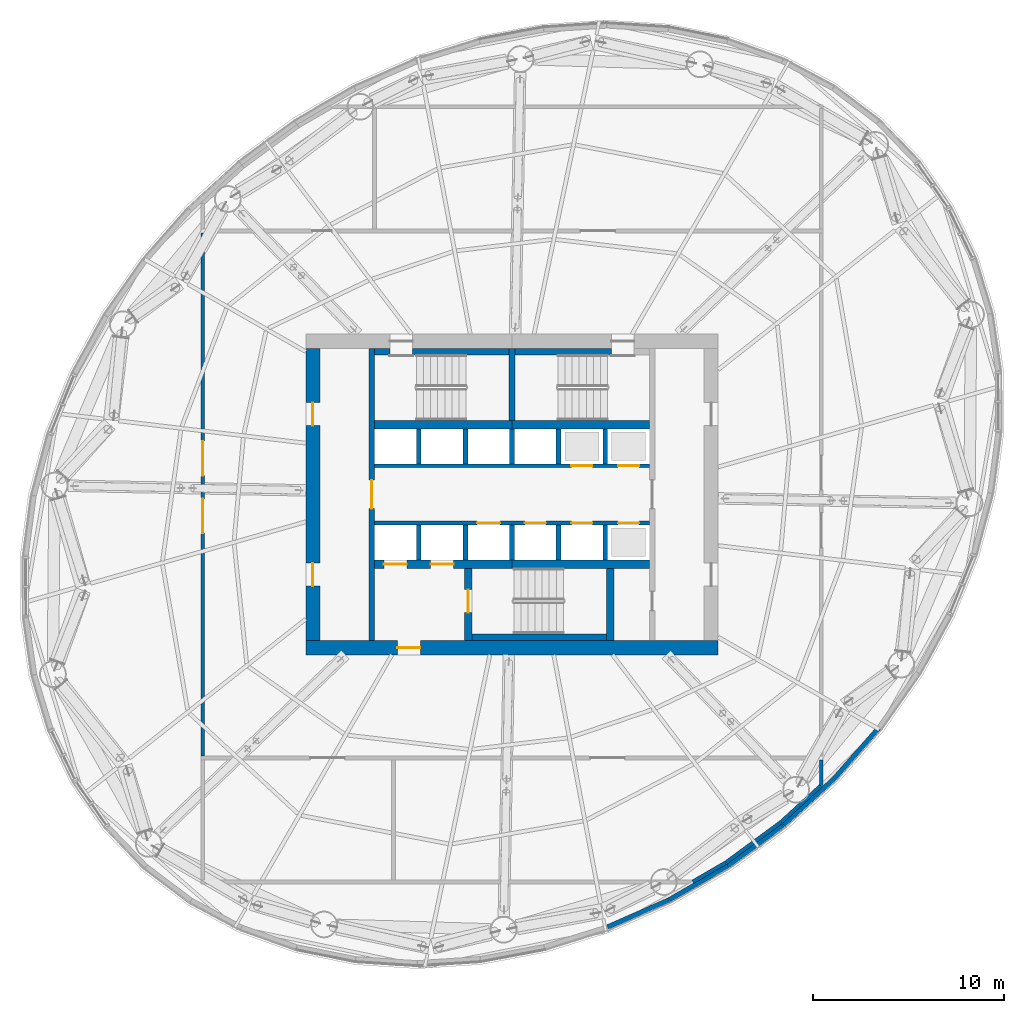
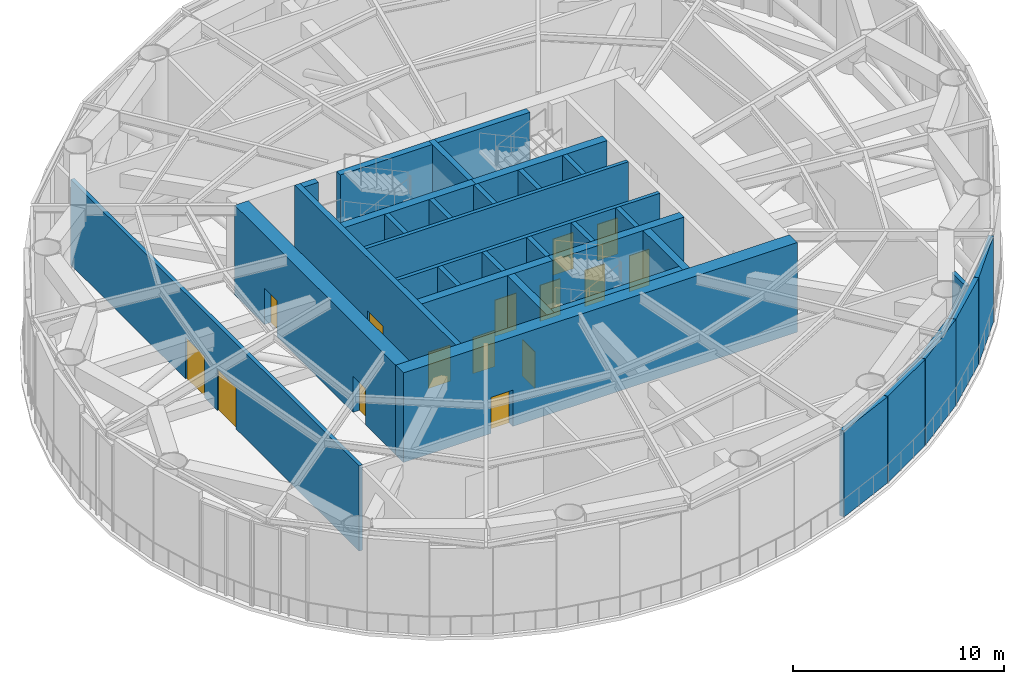
# One storey, part 8 of 19: 36 walls, 15 doors, 15 openings.
"""IFC4 building model written with IfcOpenShell, lengths in metres."""

from ifc_helpers import new_model, si_unit, direction, frame, frame_2d, origin, place, context, subcontext, project, spatial, rectangle, extrude, material, layer, layer_set, type_object, element, fill, save


model = new_model("IFC4")

# Units and contexts
model_context = context("Model", 3, precision=1e-05, world=origin(), true_north=direction((0.0, 1.0)))
body_context = subcontext(model_context, "Body", "Model", "MODEL_VIEW")
ifc_project = project(units=[si_unit("LENGTHUNIT", "METRE"), si_unit("AREAUNIT", "SQUARE_METRE"), si_unit("VOLUMEUNIT", "CUBIC_METRE"), si_unit("PLANEANGLEUNIT", "RADIAN"), si_unit("MASSUNIT", "GRAM", prefix="KILO")], contexts=[model_context])

# Site, building, storey
site_placement = place(None, origin())
site = spatial("IfcSite", under=ifc_project, at=site_placement, CompositionType="ELEMENT")
building_placement = place(site_placement, origin())
building = spatial("IfcBuilding", under=site, at=building_placement, Name="Vermilion Reach Broadcast Tower", CompositionType="ELEMENT")
storey_placement = place(building_placement, frame((0.0, 0.0, 190.199951171875)))
storey = spatial("IfcBuildingStorey", under=building, at=storey_placement, Name="L46", CompositionType="ELEMENT", Elevation=190.199951171875)

# Wall, opening, door
ifc_material_1 = material(Name="Concrete C60", Category="concrete")
ifc_layer_1 = layer(ifc_material_1, 0.300048828125)
ifc_layer_set_1 = layer_set([ifc_layer_1], Name="Core inner wall 300 mm Concrete C60")
wall_type_1 = type_object("IfcWallType", Name="Core inner wall 300 mm Concrete C60", PredefinedType="SHEAR", material=ifc_layer_set_1)
wall_1_placement = place(storey_placement, frame((-13.35009765625, 7.64990234375, 0.0), z_axis=(0.0, 0.0, 1.0), x_axis=(0.0, -1.0, 0.0)))
wall_1 = element("IfcWall", 1, at=wall_1_placement, inside=storey, type_object=wall_type_1, Name="L46 core wall ewW", PredefinedType="SHEAR", context=body_context, shape_type="SweptSolid", body=[
    extrude(rectangle(XDim=15.2998046875, YDim=0.300048828125, at=frame_2d((7.64990234375, 0.0))), origin(), (0.0, 0.0, 1.0), 5.199951171875),
])
opening_1_placement = place(wall_1_placement, frame((6.89990234375, 0.0, 0.0)))
opening_1 = element("IfcOpeningElement", 2, at=opening_1_placement, cuts=wall_1, Name="Opening D04", PredefinedType="OPENING", context=body_context, shape_type="SweptSolid", body=[
    extrude(rectangle(XDim=1.5, YDim=2.10009765625, at=frame_2d((0.75, 1.050048828125))), frame((0.0, 0.159912109375, 0.0), z_axis=(0.0, -1.0, 0.0), x_axis=(1.0, 0.0, 0.0)), (0.0, 0.0, 1.0), 0.320068359375),
])
ifc_material_2 = material(Name="Painted steel fire door", Category="steel")
door_type_1 = type_object("IfcDoorType", Name="Lift lobby door 1500 x 2100", OperationType="DOUBLE_DOOR_SINGLE_SWING", PredefinedType="NOTDEFINED", material=ifc_material_2)
door_1_placement = place(opening_1_placement, origin())
door_1 = element("IfcDoor", 3, at=door_1_placement, inside=storey, type_object=door_type_1, Name="L46 band door BW", OperationType="DOUBLE_DOOR_SINGLE_SWING", OverallHeight=2.10009765625, OverallWidth=1.5, PredefinedType="NOTDEFINED", context=body_context, shape_type="SweptSolid", body=[
    extrude(rectangle(XDim=1.5, YDim=2.10009765625, at=frame_2d((0.75, 1.050048828125))), frame((0.0, 0.02490234375, 0.0), z_axis=(0.0, -1.0, 0.0), x_axis=(1.0, 0.0, 0.0)), (0.0, 0.0, 1.0), 0.050048828125),
])
fill(opening_1, door_1)

# Wall
wall_2_placement = place(storey_placement, frame((-6.0, 3.8798828125, 0.0), z_axis=(0.0, 0.0, 1.0), x_axis=(0.0, 1.0, 0.0)))
element("IfcWall", 4, at=wall_2_placement, inside=storey, type_object=wall_type_1, Name="L46 core wall wc", PredefinedType="SHEAR", context=body_context, shape_type="SweptSolid", body=[
    extrude(rectangle(XDim=3.77001953125, YDim=0.300048828125, at=frame_2d((1.885009765625, 0.0))), origin(), (0.0, 0.0, 1.0), 5.199951171875),
])

# Wall, opening, door
ifc_material_3 = material(Name="Concrete C60", Category="concrete")
ifc_layer_2 = layer(ifc_material_3, 0.39990234375)
ifc_layer_set_2 = layer_set([ifc_layer_2], Name="Core inner wall 400 mm Concrete C60")
wall_type_2 = type_object("IfcWallType", Name="Core inner wall 400 mm Concrete C60", PredefinedType="SHEAR", material=ifc_layer_set_2)
wall_3_placement = place(storey_placement, frame((-8.300048828125, -3.8798828125, 0.0), z_axis=(0.0, 0.0, 1.0), x_axis=(0.0, -1.0, 0.0)))
wall_3 = element("IfcWall", 5, at=wall_3_placement, inside=storey, type_object=wall_type_2, Name="L46 core wall wa", PredefinedType="SHEAR", context=body_context, shape_type="SweptSolid", body=[
    extrude(rectangle(XDim=3.77001953125, YDim=0.39990234375, at=frame_2d((1.885009765625, 0.0))), origin(), (0.0, 0.0, 1.0), 5.199951171875),
])
opening_2_placement = place(wall_3_placement, frame((1.110107421875, 0.0, 0.0)))
opening_2 = element("IfcOpeningElement", 6, at=opening_2_placement, cuts=wall_3, Name="Opening D01", PredefinedType="OPENING", context=body_context, shape_type="SweptSolid", body=[
    extrude(rectangle(XDim=1.199951171875, YDim=2.10009765625, at=frame_2d((0.60009765625, 1.050048828125))), frame((0.0, 0.2099609375, 0.0), z_axis=(0.0, -1.0, 0.0), x_axis=(1.0, 0.0, 0.0)), (0.0, 0.0, 1.0), 0.419921875),
])
ifc_material_4 = material(Name="Painted steel fire door", Category="steel")
door_type_2 = type_object("IfcDoorType", Name="Stair door 1200 x 2100", OperationType="DOUBLE_DOOR_SINGLE_SWING", PredefinedType="NOTDEFINED", material=ifc_material_4)
door_2_placement = place(opening_2_placement, origin())
door_2 = element("IfcDoor", 7, at=door_2_placement, inside=storey, type_object=door_type_2, Name="L46 stair door ST3", OperationType="DOUBLE_DOOR_SINGLE_SWING", OverallHeight=2.10009765625, OverallWidth=1.199951171875, PredefinedType="NOTDEFINED", context=body_context, shape_type="SweptSolid", body=[
    extrude(rectangle(XDim=1.199951171875, YDim=2.10009765625, at=frame_2d((0.60009765625, 1.050048828125))), frame((0.0, 0.02490234375, 0.0), z_axis=(0.0, -1.0, 0.0), x_axis=(1.0, 0.0, 0.0)), (0.0, 0.0, 1.0), 0.050048828125),
])
fill(opening_2, door_2)

# Walls
wall_4_placement = place(storey_placement, frame((-0.85009765625, -3.8798828125, 0.0), z_axis=(0.0, 0.0, 1.0), x_axis=(0.0, -1.0, 0.0)))
element("IfcWall", 8, at=wall_4_placement, inside=storey, type_object=wall_type_2, Name="L46 core wall wb", PredefinedType="SHEAR", context=body_context, shape_type="SweptSolid", body=[
    extrude(rectangle(XDim=3.77001953125, YDim=0.39990234375, at=frame_2d((1.885009765625, 0.0))), origin(), (0.0, 0.0, 1.0), 5.199951171875),
])
ifc_material_5 = material(Name="Concrete C60", Category="concrete")
ifc_layer_3 = layer(ifc_material_5, 0.449951171875)
ifc_layer_set_3 = layer_set([ifc_layer_3], Name="Core inner wall 450 mm Concrete C60")
wall_type_3 = type_object("IfcWallType", Name="Core inner wall 450 mm Concrete C60", PredefinedType="SHEAR", material=ifc_layer_set_3)
for number, where, z_axis, x_axis, name in (
    (9, (-13.199951171875, 3.655029296875, 0.0), (0.0, 0.0, 1.0), (1.0, 0.0, 0.0), "L46 core wall winW"),
    (10, (-6.0, 3.655029296875, 0.0), (0.0, 0.0, 1.0), (1.0, 0.0, 0.0), "L46 core wall winE"),
):
    element("IfcWall", number, at=place(storey_placement, frame(where, z_axis=z_axis, x_axis=x_axis)), inside=storey, type_object=wall_type_3, Name=name, PredefinedType="SHEAR", context=body_context, shape_type="SweptSolid", body=[
        extrude(rectangle(XDim=7.199951171875, YDim=0.449951171875, at=frame_2d((3.60009765625, 0.0))), origin(), (0.0, 0.0, 1.0), 5.199951171875),
    ])

# Wall, openings, doors
wall_5_placement = place(storey_placement, frame((-13.199951171875, -3.655029296875, 0.0), z_axis=(0.0, 0.0, 1.0), x_axis=(1.0, 0.0, 0.0)))
wall_5 = element("IfcWall", 11, at=wall_5_placement, inside=storey, type_object=wall_type_3, Name="L46 core wall wisW", PredefinedType="SHEAR", context=body_context, shape_type="SweptSolid", body=[
    extrude(rectangle(XDim=7.199951171875, YDim=0.449951171875, at=frame_2d((3.60009765625, 0.0))), origin(), (0.0, 0.0, 1.0), 5.199951171875),
])
opening_3_placement = place(wall_5_placement, frame((0.495849609375, 0.0, 0.0)))
opening_3 = element("IfcOpeningElement", 12, at=opening_3_placement, cuts=wall_5, Name="Opening LD1", PredefinedType="OPENING", context=body_context, shape_type="SweptSolid", body=[
    extrude(rectangle(XDim=1.199951171875, YDim=2.10009765625, at=frame_2d((0.60009765625, 1.050048828125))), frame((0.0, 0.23486328125, 0.0), z_axis=(0.0, -1.0, 0.0), x_axis=(1.0, 0.0, 0.0)), (0.0, 0.0, 1.0), 0.469970703125),
])
opening_4_placement = place(wall_5_placement, frame((2.9375, 0.0, 0.0)))
opening_4 = element("IfcOpeningElement", 13, at=opening_4_placement, cuts=wall_5, Name="Opening LD1", PredefinedType="OPENING", context=body_context, shape_type="SweptSolid", body=[
    extrude(rectangle(XDim=1.199951171875, YDim=2.10009765625, at=frame_2d((0.60009765625, 1.050048828125))), frame((0.0, 0.23486328125, 0.0), z_axis=(0.0, -1.0, 0.0), x_axis=(1.0, 0.0, 0.0)), (0.0, 0.0, 1.0), 0.469970703125),
])
ifc_material_6 = material(Name="Stainless steel", Category="steel")
door_type_3 = type_object("IfcDoorType", Name="Landing door 1200 x 2100", OperationType="DOUBLE_DOOR_SLIDING", PredefinedType="NOTDEFINED", material=ifc_material_6)
door_3_placement = place(opening_3_placement, origin())
door_3 = element("IfcDoor", 14, at=door_3_placement, inside=storey, type_object=door_type_3, Name="L46 landing door FF1", OperationType="DOUBLE_DOOR_SLIDING", OverallHeight=2.10009765625, OverallWidth=1.199951171875, PredefinedType="NOTDEFINED", context=body_context, shape_type="SweptSolid", body=[
    extrude(rectangle(XDim=1.199951171875, YDim=2.10009765625, at=frame_2d((0.60009765625, 1.050048828125))), frame((0.0, 0.02490234375, 0.0), z_axis=(0.0, -1.0, 0.0), x_axis=(1.0, 0.0, 0.0)), (0.0, 0.0, 1.0), 0.050048828125),
])
fill(opening_3, door_3)
door_4_placement = place(opening_4_placement, origin())
door_4 = element("IfcDoor", 15, at=door_4_placement, inside=storey, type_object=door_type_3, Name="L46 landing door FF2", OperationType="DOUBLE_DOOR_SLIDING", OverallHeight=2.10009765625, OverallWidth=1.199951171875, PredefinedType="NOTDEFINED", context=body_context, shape_type="SweptSolid", body=[
    extrude(rectangle(XDim=1.199951171875, YDim=2.10009765625, at=frame_2d((0.60009765625, 1.050048828125))), frame((0.0, 0.02490234375, 0.0), z_axis=(0.0, -1.0, 0.0), x_axis=(1.0, 0.0, 0.0)), (0.0, 0.0, 1.0), 0.050048828125),
])
fill(opening_4, door_4)

# Wall
wall_6_placement = place(storey_placement, frame((-6.0, -3.655029296875, 0.0), z_axis=(0.0, 0.0, 1.0), x_axis=(1.0, 0.0, 0.0)))
element("IfcWall", 16, at=wall_6_placement, inside=storey, type_object=wall_type_3, Name="L46 core wall wisE", PredefinedType="SHEAR", context=body_context, shape_type="SweptSolid", body=[
    extrude(rectangle(XDim=7.199951171875, YDim=0.449951171875, at=frame_2d((3.60009765625, 0.0))), origin(), (0.0, 0.0, 1.0), 5.199951171875),
])

# Wall, opening, door
ifc_material_7 = material(Name="Concrete C60", Category="concrete")
ifc_layer_4 = layer(ifc_material_7, 0.75)
ifc_layer_set_4 = layer_set([ifc_layer_4], Name="Core outer wall 750 mm Concrete C60")
wall_type_4 = type_object("IfcWallType", Name="Core outer wall 750 mm Concrete C60", PredefinedType="SHEAR", material=ifc_layer_set_4)
wall_7_placement = place(storey_placement, frame((-16.800048828125, -8.02490234375, 0.0), z_axis=(0.0, 0.0, 1.0), x_axis=(1.0, 0.0, 0.0)))
wall_7 = element("IfcWall", 17, at=wall_7_placement, inside=storey, type_object=wall_type_4, Name="L46 core wall os", PredefinedType="SHEAR", context=body_context, shape_type="SweptSolid", body=[
    extrude(rectangle(XDim=21.60009765625, YDim=0.75, at=frame_2d((10.800048828125, 0.0))), origin(), (0.0, 0.0, 1.0), 5.199951171875),
])
opening_5_placement = place(wall_7_placement, frame((4.800048828125, 0.0, 0.0)))
opening_5 = element("IfcOpeningElement", 18, at=opening_5_placement, cuts=wall_7, Name="Opening D02", PredefinedType="OPENING", context=body_context, shape_type="SweptSolid", body=[
    extrude(rectangle(XDim=1.199951171875, YDim=2.10009765625, at=frame_2d((0.60009765625, 1.050048828125))), frame((0.0, 0.385009765625, 0.0), z_axis=(0.0, -1.0, 0.0), x_axis=(1.0, 0.0, 0.0)), (0.0, 0.0, 1.0), 0.77001953125),
])
ifc_material_8 = material(Name="Painted steel fire door", Category="steel")
door_type_4 = type_object("IfcDoorType", Name="Firefighting lobby door 1200 x 2100", OperationType="DOUBLE_DOOR_SINGLE_SWING", PredefinedType="NOTDEFINED", material=ifc_material_8)
door_5_placement = place(opening_5_placement, origin())
door_5 = element("IfcDoor", 19, at=door_5_placement, inside=storey, type_object=door_type_4, Name="L46 ffdoor door FFL", OperationType="DOUBLE_DOOR_SINGLE_SWING", OverallHeight=2.10009765625, OverallWidth=1.199951171875, PredefinedType="NOTDEFINED", context=body_context, shape_type="SweptSolid", body=[
    extrude(rectangle(XDim=1.199951171875, YDim=2.10009765625, at=frame_2d((0.60009765625, 1.050048828125))), frame((0.0, 0.02490234375, 0.0), z_axis=(0.0, -1.0, 0.0), x_axis=(1.0, 0.0, 0.0)), (0.0, 0.0, 1.0), 0.050048828125),
])
fill(opening_5, door_5)

# Wall, openings, doors
wall_8_placement = place(storey_placement, frame((-16.425048828125, 7.64990234375, 0.0), z_axis=(0.0, 0.0, 1.0), x_axis=(0.0, -1.0, 0.0)))
wall_8 = element("IfcWall", 20, at=wall_8_placement, inside=storey, type_object=wall_type_4, Name="L46 core wall ow", PredefinedType="SHEAR", context=body_context, shape_type="SweptSolid", body=[
    extrude(rectangle(XDim=15.2998046875, YDim=0.75, at=frame_2d((7.64990234375, 0.0))), origin(), (0.0, 0.0, 1.0), 5.199951171875),
])
opening_6_placement = place(wall_8_placement, frame((11.25, 0.0, 0.0)))
opening_6 = element("IfcOpeningElement", 21, at=opening_6_placement, cuts=wall_8, Name="Opening D03", PredefinedType="OPENING", context=body_context, shape_type="SweptSolid", body=[
    extrude(rectangle(XDim=1.199951171875, YDim=2.10009765625, at=frame_2d((0.60009765625, 1.050048828125))), frame((0.0, 0.385009765625, 0.0), z_axis=(0.0, -1.0, 0.0), x_axis=(1.0, 0.0, 0.0)), (0.0, 0.0, 1.0), 0.77001953125),
])
opening_7_placement = place(wall_8_placement, frame((2.85009765625, 0.0, 0.0)))
opening_7 = element("IfcOpeningElement", 22, at=opening_7_placement, cuts=wall_8, Name="Opening D03", PredefinedType="OPENING", context=body_context, shape_type="SweptSolid", body=[
    extrude(rectangle(XDim=1.199951171875, YDim=2.10009765625, at=frame_2d((0.60009765625, 1.050048828125))), frame((0.0, 0.385009765625, 0.0), z_axis=(0.0, -1.0, 0.0), x_axis=(1.0, 0.0, 0.0)), (0.0, 0.0, 1.0), 0.77001953125),
])
ifc_material_9 = material(Name="Painted steel fire door", Category="steel")
door_type_5 = type_object("IfcDoorType", Name="Core lobby door 1200 x 2100", OperationType="DOUBLE_DOOR_SINGLE_SWING", PredefinedType="NOTDEFINED", material=ifc_material_9)
door_6_placement = place(opening_6_placement, origin())
door_6 = element("IfcDoor", 23, at=door_6_placement, inside=storey, type_object=door_type_5, Name="L46 slot door W0", OperationType="DOUBLE_DOOR_SINGLE_SWING", OverallHeight=2.10009765625, OverallWidth=1.199951171875, PredefinedType="NOTDEFINED", context=body_context, shape_type="SweptSolid", body=[
    extrude(rectangle(XDim=1.199951171875, YDim=2.10009765625, at=frame_2d((0.60009765625, 1.050048828125))), frame((0.0, 0.02490234375, 0.0), z_axis=(0.0, -1.0, 0.0), x_axis=(1.0, 0.0, 0.0)), (0.0, 0.0, 1.0), 0.050048828125),
])
fill(opening_6, door_6)
door_7_placement = place(opening_7_placement, origin())
door_7 = element("IfcDoor", 24, at=door_7_placement, inside=storey, type_object=door_type_5, Name="L46 slot door W1", OperationType="DOUBLE_DOOR_SINGLE_SWING", OverallHeight=2.10009765625, OverallWidth=1.199951171875, PredefinedType="NOTDEFINED", context=body_context, shape_type="SweptSolid", body=[
    extrude(rectangle(XDim=1.199951171875, YDim=2.10009765625, at=frame_2d((0.60009765625, 1.050048828125))), frame((0.0, 0.02490234375, 0.0), z_axis=(0.0, -1.0, 0.0), x_axis=(1.0, 0.0, 0.0)), (0.0, 0.0, 1.0), 0.050048828125),
])
fill(opening_7, door_7)

ifc_material_10 = material(Name="Concrete C50", Category="concrete")
ifc_layer_5 = layer(ifc_material_10, 0.199951171875)
ifc_layer_set_5 = layer_set([ifc_layer_5], Name="Core shaft wall 200 mm Concrete C50")
wall_type_5 = type_object("IfcWallType", Name="Core shaft wall 200 mm Concrete C50", PredefinedType="SHEAR", material=ifc_layer_set_5)
wall_9_placement = place(storey_placement, frame((-13.199951171875, 1.5, 0.0), z_axis=(0.0, 0.0, 1.0), x_axis=(1.0, 0.0, 0.0)))
wall_9 = element("IfcWall", 25, at=wall_9_placement, inside=storey, type_object=wall_type_5, Name="L46 core wall fn", PredefinedType="SHEAR", context=body_context, shape_type="SweptSolid", body=[
    extrude(rectangle(XDim=14.39990234375, YDim=0.199951171875, at=frame_2d((7.199951171875, 0.0))), origin(), (0.0, 0.0, 1.0), 5.199951171875),
])
opening_8_placement = place(wall_9_placement, frame((10.3125, 0.0, 0.0)))
opening_8 = element("IfcOpeningElement", 26, at=opening_8_placement, cuts=wall_9, Name="Opening LD2", PredefinedType="OPENING", context=body_context, shape_type="SweptSolid", body=[
    extrude(rectangle(XDim=1.10009765625, YDim=2.10009765625, at=frame_2d((0.550048828125, 1.050048828125))), frame((0.0, 0.10986328125, 0.0), z_axis=(0.0, -1.0, 0.0), x_axis=(1.0, 0.0, 0.0)), (0.0, 0.0, 1.0), 0.219970703125),
])
opening_9_placement = place(wall_9_placement, frame((12.754150390625, 0.0, 0.0)))
opening_9 = element("IfcOpeningElement", 27, at=opening_9_placement, cuts=wall_9, Name="Opening LD2", PredefinedType="OPENING", context=body_context, shape_type="SweptSolid", body=[
    extrude(rectangle(XDim=1.10009765625, YDim=2.10009765625, at=frame_2d((0.550048828125, 1.050048828125))), frame((0.0, 0.10986328125, 0.0), z_axis=(0.0, -1.0, 0.0), x_axis=(1.0, 0.0, 0.0)), (0.0, 0.0, 1.0), 0.219970703125),
])
ifc_material_11 = material(Name="Stainless steel", Category="steel")
door_type_6 = type_object("IfcDoorType", Name="Landing door 1100 x 2100", OperationType="DOUBLE_DOOR_SLIDING", PredefinedType="NOTDEFINED", material=ifc_material_11)
door_8_placement = place(opening_8_placement, origin())
door_8 = element("IfcDoor", 28, at=door_8_placement, inside=storey, type_object=door_type_6, Name="L46 landing door HR1", OperationType="DOUBLE_DOOR_SLIDING", OverallHeight=2.10009765625, OverallWidth=1.10009765625, PredefinedType="NOTDEFINED", context=body_context, shape_type="SweptSolid", body=[
    extrude(rectangle(XDim=1.10009765625, YDim=2.10009765625, at=frame_2d((0.550048828125, 1.050048828125))), frame((0.0, 0.02490234375, 0.0), z_axis=(0.0, -1.0, 0.0), x_axis=(1.0, 0.0, 0.0)), (0.0, 0.0, 1.0), 0.050048828125),
])
fill(opening_8, door_8)
door_9_placement = place(opening_9_placement, origin())
door_9 = element("IfcDoor", 29, at=door_9_placement, inside=storey, type_object=door_type_6, Name="L46 landing door HR2", OperationType="DOUBLE_DOOR_SLIDING", OverallHeight=2.10009765625, OverallWidth=1.10009765625, PredefinedType="NOTDEFINED", context=body_context, shape_type="SweptSolid", body=[
    extrude(rectangle(XDim=1.10009765625, YDim=2.10009765625, at=frame_2d((0.550048828125, 1.050048828125))), frame((0.0, 0.02490234375, 0.0), z_axis=(0.0, -1.0, 0.0), x_axis=(1.0, 0.0, 0.0)), (0.0, 0.0, 1.0), 0.050048828125),
])
fill(opening_9, door_9)

wall_10_placement = place(storey_placement, frame((1.199951171875, -1.5, 0.0), z_axis=(0.0, 0.0, 1.0), x_axis=(-1.0, 0.0, 0.0)))
wall_10 = element("IfcWall", 30, at=wall_10_placement, inside=storey, type_object=wall_type_5, Name="L46 core wall fs", PredefinedType="SHEAR", context=body_context, shape_type="SweptSolid", body=[
    extrude(rectangle(XDim=14.39990234375, YDim=0.199951171875, at=frame_2d((7.199951171875, 0.0))), origin(), (0.0, 0.0, 1.0), 5.199951171875),
])
opening_10_placement = place(wall_10_placement, frame((7.82080078125, 0.0, 0.0)))
opening_10 = element("IfcOpeningElement", 31, at=opening_10_placement, cuts=wall_10, Name="Opening LD1", PredefinedType="OPENING", context=body_context, shape_type="SweptSolid", body=[
    extrude(rectangle(XDim=1.199951171875, YDim=2.10009765625, at=frame_2d((0.60009765625, 1.050048828125))), frame((0.0, 0.10986328125, 0.0), z_axis=(0.0, -1.0, 0.0), x_axis=(1.0, 0.0, 0.0)), (0.0, 0.0, 1.0), 0.219970703125),
])
opening_11_placement = place(wall_10_placement, frame((5.42919921875, 0.0, 0.0)))
opening_11 = element("IfcOpeningElement", 32, at=opening_11_placement, cuts=wall_10, Name="Opening LD2", PredefinedType="OPENING", context=body_context, shape_type="SweptSolid", body=[
    extrude(rectangle(XDim=1.10009765625, YDim=2.10009765625, at=frame_2d((0.550048828125, 1.050048828125))), frame((0.0, 0.10986328125, 0.0), z_axis=(0.0, -1.0, 0.0), x_axis=(1.0, 0.0, 0.0)), (0.0, 0.0, 1.0), 0.219970703125),
])
opening_12_placement = place(wall_10_placement, frame((2.987548828125, 0.0, 0.0)))
opening_12 = element("IfcOpeningElement", 33, at=opening_12_placement, cuts=wall_10, Name="Opening LD2", PredefinedType="OPENING", context=body_context, shape_type="SweptSolid", body=[
    extrude(rectangle(XDim=1.10009765625, YDim=2.10009765625, at=frame_2d((0.550048828125, 1.050048828125))), frame((0.0, 0.10986328125, 0.0), z_axis=(0.0, -1.0, 0.0), x_axis=(1.0, 0.0, 0.0)), (0.0, 0.0, 1.0), 0.219970703125),
])
opening_13_placement = place(wall_10_placement, frame((0.5458984375, 0.0, 0.0)))
opening_13 = element("IfcOpeningElement", 34, at=opening_13_placement, cuts=wall_10, Name="Opening LD2", PredefinedType="OPENING", context=body_context, shape_type="SweptSolid", body=[
    extrude(rectangle(XDim=1.10009765625, YDim=2.10009765625, at=frame_2d((0.550048828125, 1.050048828125))), frame((0.0, 0.10986328125, 0.0), z_axis=(0.0, -1.0, 0.0), x_axis=(1.0, 0.0, 0.0)), (0.0, 0.0, 1.0), 0.219970703125),
])
door_10_placement = place(opening_11_placement, origin())
door_10 = element("IfcDoor", 35, at=door_10_placement, inside=storey, type_object=door_type_6, Name="L46 landing door SH1", OperationType="DOUBLE_DOOR_SLIDING", OverallHeight=2.10009765625, OverallWidth=1.10009765625, PredefinedType="NOTDEFINED", context=body_context, shape_type="SweptSolid", body=[
    extrude(rectangle(XDim=1.10009765625, YDim=2.10009765625, at=frame_2d((0.550048828125, 1.050048828125))), frame((0.0, 0.02490234375, 0.0), z_axis=(0.0, -1.0, 0.0), x_axis=(1.0, 0.0, 0.0)), (0.0, 0.0, 1.0), 0.050048828125),
])
fill(opening_11, door_10)
door_11_placement = place(opening_12_placement, origin())
door_11 = element("IfcDoor", 36, at=door_11_placement, inside=storey, type_object=door_type_6, Name="L46 landing door SH2", OperationType="DOUBLE_DOOR_SLIDING", OverallHeight=2.10009765625, OverallWidth=1.10009765625, PredefinedType="NOTDEFINED", context=body_context, shape_type="SweptSolid", body=[
    extrude(rectangle(XDim=1.10009765625, YDim=2.10009765625, at=frame_2d((0.550048828125, 1.050048828125))), frame((0.0, 0.02490234375, 0.0), z_axis=(0.0, -1.0, 0.0), x_axis=(1.0, 0.0, 0.0)), (0.0, 0.0, 1.0), 0.050048828125),
])
fill(opening_12, door_11)
door_12_placement = place(opening_13_placement, origin())
door_12 = element("IfcDoor", 37, at=door_12_placement, inside=storey, type_object=door_type_6, Name="L46 landing door HR3", OperationType="DOUBLE_DOOR_SLIDING", OverallHeight=2.10009765625, OverallWidth=1.10009765625, PredefinedType="NOTDEFINED", context=body_context, shape_type="SweptSolid", body=[
    extrude(rectangle(XDim=1.10009765625, YDim=2.10009765625, at=frame_2d((0.550048828125, 1.050048828125))), frame((0.0, 0.02490234375, 0.0), z_axis=(0.0, -1.0, 0.0), x_axis=(1.0, 0.0, 0.0)), (0.0, 0.0, 1.0), 0.050048828125),
])
fill(opening_13, door_12)
door_13_placement = place(opening_10_placement, origin())
door_13 = element("IfcDoor", 38, at=door_13_placement, inside=storey, type_object=door_type_3, Name="L46 landing door SV1", OperationType="DOUBLE_DOOR_SLIDING", OverallHeight=2.10009765625, OverallWidth=1.199951171875, PredefinedType="NOTDEFINED", context=body_context, shape_type="SweptSolid", body=[
    extrude(rectangle(XDim=1.199951171875, YDim=2.10009765625, at=frame_2d((0.60009765625, 1.050048828125))), frame((0.0, 0.02490234375, 0.0), z_axis=(0.0, -1.0, 0.0), x_axis=(1.0, 0.0, 0.0)), (0.0, 0.0, 1.0), 0.050048828125),
])
fill(opening_10, door_13)

# Walls
ifc_material_12 = material(Name="Concrete C50", Category="concrete")
ifc_layer_6 = layer(ifc_material_12, 0.25)
ifc_layer_set_6 = layer_set([ifc_layer_6], Name="Core shaft wall 250 mm Concrete C50")
wall_type_6 = type_object("IfcWallType", Name="Core shaft wall 250 mm Concrete C50", PredefinedType="SHEAR", material=ifc_layer_set_6)
for number, where, z_axis, x_axis, name in (
    (39, (-10.88330078125, 1.60009765625, 0.0), (0.0, 0.0, 1.0), (0.0, 1.0, 0.0), "L46 core wall psN0"),
    (40, (-8.441650390625, 1.60009765625, 0.0), (0.0, 0.0, 1.0), (0.0, 1.0, 0.0), "L46 core wall psN1"),
    (41, (-6.0, 1.60009765625, 0.0), (0.0, 0.0, 1.0), (0.0, 1.0, 0.0), "L46 core wall psN2"),
    (42, (-3.558349609375, 1.60009765625, 0.0), (0.0, 0.0, 1.0), (0.0, 1.0, 0.0), "L46 core wall psN3"),
    (43, (-1.11669921875, 1.60009765625, 0.0), (0.0, 0.0, 1.0), (0.0, 1.0, 0.0), "L46 core wall psN4"),
    (44, (-10.88330078125, -1.60009765625, 0.0), (0.0, 0.0, 1.0), (0.0, -1.0, 0.0), "L46 core wall psS0"),
    (45, (-8.441650390625, -1.60009765625, 0.0), (0.0, 0.0, 1.0), (0.0, -1.0, 0.0), "L46 core wall psS1"),
    (46, (-6.0, -1.60009765625, 0.0), (0.0, 0.0, 1.0), (0.0, -1.0, 0.0), "L46 core wall psS2"),
    (47, (-3.558349609375, -1.60009765625, 0.0), (0.0, 0.0, 1.0), (0.0, -1.0, 0.0), "L46 core wall psS3"),
    (48, (-1.11669921875, -1.60009765625, 0.0), (0.0, 0.0, 1.0), (0.0, -1.0, 0.0), "L46 core wall psS4"),
):
    element("IfcWall", number, at=place(storey_placement, frame(where, z_axis=z_axis, x_axis=x_axis)), inside=storey, type_object=wall_type_6, Name=name, PredefinedType="SHEAR", context=body_context, shape_type="SweptSolid", body=[
        extrude(rectangle(XDim=1.829833984375, YDim=0.25, at=frame_2d((0.9150390625, 0.0))), origin(), (0.0, 0.0, 1.0), 5.199951171875),
    ])
ifc_material_13 = material(Name="Concrete C60", Category="concrete")
ifc_layer_7 = layer(ifc_material_13, 0.35009765625)
ifc_layer_set_7 = layer_set([ifc_layer_7], Name="Core stair wall 350 mm Concrete C60")
wall_type_7 = type_object("IfcWallType", Name="Core stair wall 350 mm Concrete C60", PredefinedType="SHEAR", material=ifc_layer_set_7)
wall_11_placement = place(storey_placement, frame((-13.199951171875, 7.47509765625, 0.0), z_axis=(0.0, 0.0, 1.0), x_axis=(1.0, 0.0, 0.0)))
element("IfcWall", 49, at=wall_11_placement, inside=storey, type_object=wall_type_7, Name="L46 core wall l1a", PredefinedType="SHEAR", context=body_context, shape_type="SweptSolid", body=[
    extrude(rectangle(XDim=0.800048828125, YDim=0.35009765625, at=frame_2d((0.39990234375, 0.0))), origin(), (0.0, 0.0, 1.0), 5.199951171875),
])
for number, where, z_axis, x_axis, name in (
    (50, (-11.199951171875, 7.47509765625, 0.0), (0.0, 0.0, 1.0), (1.0, 0.0, 0.0), "L46 core wall l1b"),
    (51, (-5.85009765625, 7.47509765625, 0.0), (0.0, 0.0, 1.0), (1.0, 0.0, 0.0), "L46 core wall l2a"),
):
    element("IfcWall", number, at=place(storey_placement, frame(where, z_axis=z_axis, x_axis=x_axis)), inside=storey, type_object=wall_type_7, Name=name, PredefinedType="SHEAR", context=body_context, shape_type="SweptSolid", body=[
        extrude(rectangle(XDim=5.050048828125, YDim=0.35009765625, at=frame_2d((2.52490234375, 0.0))), origin(), (0.0, 0.0, 1.0), 5.199951171875),
    ])
wall_12_placement = place(storey_placement, frame((-8.10009765625, -7.47509765625, 0.0), z_axis=(0.0, 0.0, 1.0), x_axis=(1.0, 0.0, 0.0)))
element("IfcWall", 52, at=wall_12_placement, inside=storey, type_object=wall_type_7, Name="L46 core wall l3", PredefinedType="SHEAR", context=body_context, shape_type="SweptSolid", body=[
    extrude(rectangle(XDim=7.050048828125, YDim=0.35009765625, at=frame_2d((3.52490234375, 0.0))), origin(), (0.0, 0.0, 1.0), 5.199951171875),
])
ifc_material_14 = material(Name="Gypsum board shaft wall")
ifc_layer_8 = layer(ifc_material_14, 0.199951171875)
ifc_layer_set_8 = layer_set([ifc_layer_8], Name="Plant room wall 200")
wall_type_8 = type_object("IfcWallType", Name="Plant room wall 200", PredefinedType="PARTITIONING", material=ifc_layer_set_8)
wall_13_placement = place(storey_placement, frame((10.199951171875, -15.236572265625, 0.0), z_axis=(0.0, 0.0, 1.0), x_axis=(0.0, 1.0, 0.0)))
element("IfcWall", 53, at=wall_13_placement, inside=storey, type_object=wall_type_8, Name="sp.wall.L46.008", PredefinedType="PARTITIONING", context=body_context, shape_type="SweptSolid", body=[
    extrude(rectangle(XDim=1.336669921875, YDim=0.199951171875, at=frame_2d((0.66845703125, 0.0))), origin(), (0.0, 0.0, 1.0), 4.949951171875),
])
wall_14_placement = place(storey_placement, frame((8.092041015625, -17.16357421875, 0.0), z_axis=(0.0, 0.0, 1.0), x_axis=(0.738075353994, 0.674718290716, 0.0)))
element("IfcWall", 54, at=wall_14_placement, inside=storey, type_object=wall_type_8, Name="sp.wall.L46.015", PredefinedType="PARTITIONING", context=body_context, shape_type="SweptSolid", body=[
    extrude(rectangle(XDim=2.836181640625, YDim=0.199951171875, at=frame_2d((1.41796875, 0.0))), origin(), (0.0, 0.0, 1.0), 4.949951171875),
])
wall_15_placement = place(storey_placement, frame((5.207763671875, -19.28271484375, 0.0), z_axis=(0.0, 0.0, 1.0), x_axis=(0.806082962998, 0.591802548798, 0.0)))
element("IfcWall", 55, at=wall_15_placement, inside=storey, type_object=wall_type_8, Name="sp.wall.L46.016", PredefinedType="PARTITIONING", context=body_context, shape_type="SweptSolid", body=[
    extrude(rectangle(XDim=3.568359375, YDim=0.199951171875, at=frame_2d((1.7841796875, 0.0))), origin(), (0.0, 0.0, 1.0), 4.949951171875),
])
wall_16_placement = place(storey_placement, frame((3.47021484375, -20.2900390625, 0.0), z_axis=(0.0, 0.0, 1.0), x_axis=(0.865096957825, 0.501604678569, 0.0)))
element("IfcWall", 56, at=wall_16_placement, inside=storey, type_object=wall_type_8, Name="sp.wall.L46.017", PredefinedType="PARTITIONING", context=body_context, shape_type="SweptSolid", body=[
    extrude(rectangle(XDim=1.99755859375, YDim=0.199951171875, at=frame_2d((0.998779296875, 0.0))), origin(), (0.0, 0.0, 1.0), 4.949951171875),
])

# Wall, openings, doors
ifc_material_15 = material(Name="Gypsum board shaft wall")
ifc_layer_9 = layer(ifc_material_15, 0.199951171875)
ifc_layer_set_9 = layer_set([ifc_layer_9], Name="Refuge enclosure wall 200")
wall_type_9 = type_object("IfcWallType", Name="Refuge enclosure wall 200", PredefinedType="PARTITIONING", material=ifc_layer_set_9)
wall_17_placement = place(storey_placement, frame((-22.199951171875, 13.699951171875, 0.0), z_axis=(0.0, 0.0, 1.0), x_axis=(0.0, -1.0, 0.0)))
wall_17 = element("IfcWall", 57, at=wall_17_placement, inside=storey, type_object=wall_type_9, Name="sp.wall.L46.003", PredefinedType="PARTITIONING", context=body_context, shape_type="SweptSolid", body=[
    extrude(rectangle(XDim=27.39990234375, YDim=0.199951171875, at=frame_2d((13.699951171875, 0.0))), origin(), (0.0, 0.0, 1.0), 4.949951171875),
])
opening_14_placement = place(wall_17_placement, frame((13.931640625, 0.0, 0.0)))
opening_14 = element("IfcOpeningElement", 58, at=opening_14_placement, cuts=wall_17, Name="Opening D56", PredefinedType="OPENING", context=body_context, shape_type="SweptSolid", body=[
    extrude(rectangle(XDim=1.800048828125, YDim=2.39990234375, at=frame_2d((0.89990234375, 1.199951171875))), frame((0.0, 0.10986328125, 0.0), z_axis=(0.0, -1.0, 0.0), x_axis=(1.0, 0.0, 0.0)), (0.0, 0.0, 1.0), 0.219970703125),
])
opening_15_placement = place(wall_17_placement, frame((10.913818359375, 0.0, 0.0)))
opening_15 = element("IfcOpeningElement", 59, at=opening_15_placement, cuts=wall_17, Name="Opening D56", PredefinedType="OPENING", context=body_context, shape_type="SweptSolid", body=[
    extrude(rectangle(XDim=1.800048828125, YDim=2.39990234375, at=frame_2d((0.89990234375, 1.199951171875))), frame((0.0, 0.10986328125, 0.0), z_axis=(0.0, -1.0, 0.0), x_axis=(1.0, 0.0, 0.0)), (0.0, 0.0, 1.0), 0.219970703125),
])
ifc_material_16 = material(Name="Timber and steel door set", Category="steel")
door_type_7 = type_object("IfcDoorType", Name="Fire door double 1800x2400", OperationType="NOTDEFINED", PredefinedType="DOOR", material=ifc_material_16)
door_14_placement = place(opening_14_placement, origin())
door_14 = element("IfcDoor", 60, at=door_14_placement, inside=storey, type_object=door_type_7, Name="sp.door.L46.006", OperationType="DOUBLE_DOOR_SINGLE_SWING", OverallHeight=2.39990234375, OverallWidth=1.800048828125, PredefinedType="DOOR", context=body_context, shape_type="SweptSolid", body=[
    extrude(rectangle(XDim=1.800048828125, YDim=2.39990234375, at=frame_2d((0.89990234375, 1.199951171875))), frame((0.0, 0.02490234375, 0.0), z_axis=(0.0, -1.0, 0.0), x_axis=(1.0, 0.0, 0.0)), (0.0, 0.0, 1.0), 0.050048828125),
])
fill(opening_14, door_14)
door_15_placement = place(opening_15_placement, origin())
door_15 = element("IfcDoor", 61, at=door_15_placement, inside=storey, type_object=door_type_7, Name="sp.door.L46.007", OperationType="DOUBLE_DOOR_SINGLE_SWING", OverallHeight=2.39990234375, OverallWidth=1.800048828125, PredefinedType="DOOR", context=body_context, shape_type="SweptSolid", body=[
    extrude(rectangle(XDim=1.800048828125, YDim=2.39990234375, at=frame_2d((0.89990234375, 1.199951171875))), frame((0.0, 0.02490234375, 0.0), z_axis=(0.0, -1.0, 0.0), x_axis=(1.0, 0.0, 0.0)), (0.0, 0.0, 1.0), 0.050048828125),
])
fill(opening_15, door_15)

# Walls
ifc_material_17 = material(Name="Terracotta rainscreen cladding", Category="masonry")
ifc_layer_10 = layer(ifc_material_17, 0.25)
ifc_layer_set_10 = layer_set([ifc_layer_10], Name="Terracotta rainscreen wall 250, head 350 below soffit")
wall_type_10 = type_object("IfcWallType", Name="Terracotta rainscreen wall 250, head 350 below soffit", PredefinedType="SOLIDWALL", material=ifc_layer_set_10)
wall_18_placement = place(storey_placement, frame((-0.98974609375, -22.661865234375, 0.0), z_axis=(0.0, 0.0, 1.0), x_axis=(0.914847485541, 0.403799552005, 0.0)))
element("IfcWall", 62, at=wall_18_placement, inside=storey, type_object=wall_type_10, Name="Sky lobby wall L46 33", PredefinedType="SOLIDWALL", context=body_context, shape_type="SweptSolid", body=[
    extrude(rectangle(XDim=3.508056640625, YDim=0.25, at=frame_2d((1.75390625, 0.0))), origin(), (0.0, 0.0, 1.0), 5.0),
])
wall_19_placement = place(storey_placement, frame((2.23876953125, -21.235595703125, 0.0), z_axis=(0.0, 0.0, 1.0), x_axis=(0.865113604566, 0.501575967521, 0.0)))
element("IfcWall", 63, at=wall_19_placement, inside=storey, type_object=wall_type_10, Name="Sky lobby wall L46 34", PredefinedType="SOLIDWALL", context=body_context, shape_type="SweptSolid", body=[
    extrude(rectangle(XDim=3.5478515625, YDim=0.25, at=frame_2d((1.77392578125, 0.0))), origin(), (0.0, 0.0, 1.0), 5.0),
])
wall_20_placement = place(storey_placement, frame((5.326171875, -19.4443359375, 0.0), z_axis=(0.0, 0.0, 1.0), x_axis=(0.806074287732, 0.591814365032, 0.0)))
element("IfcWall", 64, at=wall_20_placement, inside=storey, type_object=wall_type_10, Name="Sky lobby wall L46 35", PredefinedType="SOLIDWALL", context=body_context, shape_type="SweptSolid", body=[
    extrude(rectangle(XDim=3.56884765625, YDim=0.25, at=frame_2d((1.784423828125, 0.0))), origin(), (0.0, 0.0, 1.0), 5.0),
])
wall_21_placement = place(storey_placement, frame((8.219482421875, -17.31884765625, 0.0), z_axis=(0.0, 0.0, 1.0), x_axis=(0.738039519503, 0.674757488029, 0.0)))
element("IfcWall", 65, at=wall_21_placement, inside=storey, type_object=wall_type_10, Name="Sky lobby wall L46 36", PredefinedType="SOLIDWALL", context=body_context, shape_type="SweptSolid", body=[
    extrude(rectangle(XDim=3.568603515625, YDim=0.25, at=frame_2d((1.7841796875, 0.0))), origin(), (0.0, 0.0, 1.0), 5.0),
])
wall_22_placement = place(storey_placement, frame((10.868408203125, -14.8955078125, 0.0), z_axis=(0.0, 0.0, 1.0), x_axis=(0.661072975462, 0.750321611787, 0.0)))
element("IfcWall", 66, at=wall_22_placement, inside=storey, type_object=wall_type_10, Name="Sky lobby wall L46 37", PredefinedType="SOLIDWALL", context=body_context, shape_type="SweptSolid", body=[
    extrude(rectangle(XDim=3.5478515625, YDim=0.25, at=frame_2d((1.77392578125, 0.0))), origin(), (0.0, 0.0, 1.0), 5.0),
])

save(model, "model.ifc")
